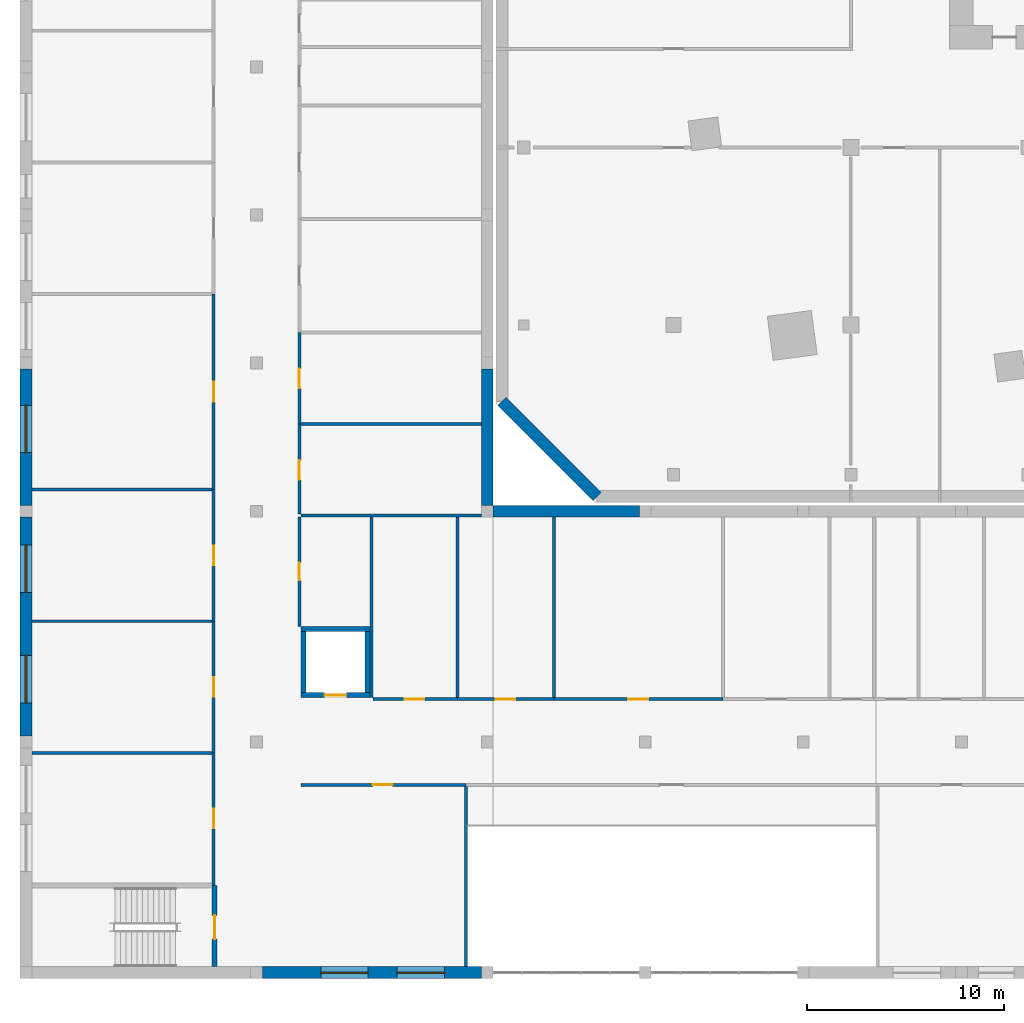
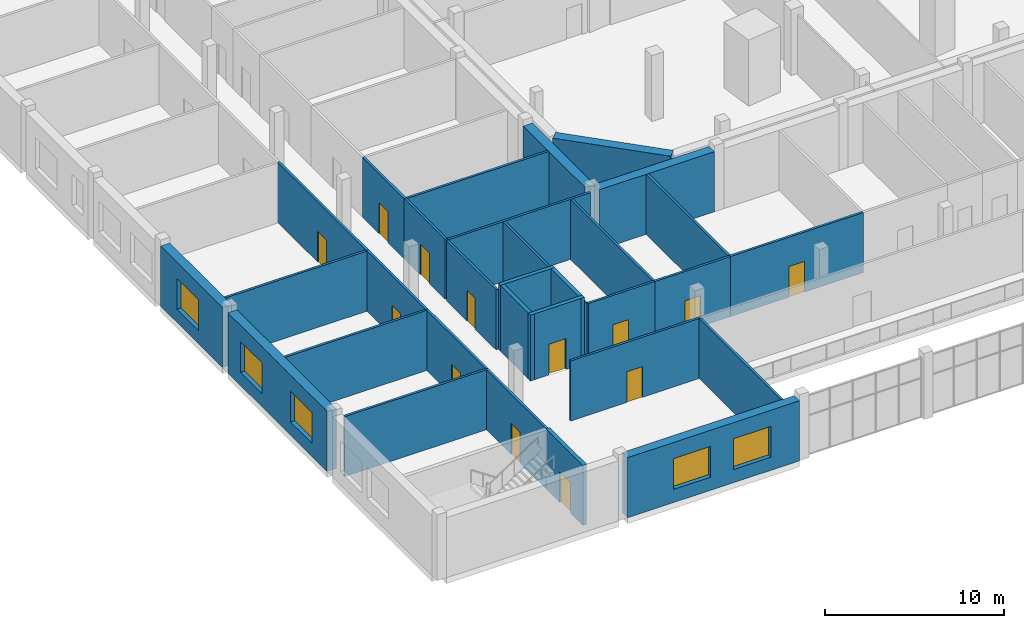
# One storey, part 9 of 27: 31 walls, 13 doors, 5 windows, 18 openings.
"""IFC4 building model written with IfcOpenShell, lengths in metres."""

from ifc_helpers import new_model, si_unit, direction, frame, frame_2d, origin, place, context, subcontext, project, spatial, rectangle, extrude, material, layer, layer_set, type_object, element, fill, save


model = new_model("IFC4")

# Units and contexts
model_context = context("Model", 3, precision=1e-05, world=origin(), true_north=direction((0.0, 1.0)))
body_context = subcontext(model_context, "Body", "Model", "MODEL_VIEW")
ifc_project = project(units=[si_unit("LENGTHUNIT", "METRE"), si_unit("AREAUNIT", "SQUARE_METRE"), si_unit("VOLUMEUNIT", "CUBIC_METRE"), si_unit("PLANEANGLEUNIT", "RADIAN"), si_unit("MASSUNIT", "GRAM", prefix="KILO")], contexts=[model_context])

# Site, building, storey
site_placement = place(None, origin())
site = spatial("IfcSite", under=ifc_project, at=site_placement, CompositionType="ELEMENT")
building_placement = place(site_placement, origin())
building = spatial("IfcBuilding", under=site, at=building_placement, Name="Dilmun Exchange Tower", CompositionType="ELEMENT")
storey_placement = place(building_placement, frame((0.0, 0.0, 4.5)))
storey = spatial("IfcBuildingStorey", under=building, at=storey_placement, Name="L01", CompositionType="ELEMENT", Elevation=4.5)

# Wall
ifc_material_1 = material(Name="Precast concrete C50/60", Category="concrete")
ifc_layer_1 = layer(ifc_material_1, 0.60009765625)
ifc_layer_set_1 = layer_set([ifc_layer_1], Name="Precast concrete C50/60")
wall_type_1 = type_object("IfcWallType", Name="Precast stone-clad wall 600", PredefinedType="STANDARD", material=ifc_layer_set_1)
wall_1_placement = place(storey_placement, frame((-35.699951171875, -30.875732421875, 0.0), z_axis=(0.0, 0.0, 1.0), x_axis=(0.707106781187, -0.707106781187, 0.0)))
element("IfcWall", 1, at=wall_1_placement, inside=storey, type_object=wall_type_1, Name="Facade wall L01-07-0", PredefinedType="STANDARD", context=body_context, shape_type="SweptSolid", body=[
    extrude(rectangle(XDim=6.822509765625, YDim=0.60009765625, at=frame_2d((3.4111328125, 0.0))), origin(), (0.0, 0.0, 1.0), 4.10009765625),
])

# Wall, openings, windows
ifc_material_2 = material(Name="Precast concrete C40/50", Category="concrete")
ifc_layer_2 = layer(ifc_material_2, 0.60009765625)
ifc_layer_set_2 = layer_set([ifc_layer_2], Name="Precast concrete C40/50")
wall_type_2 = type_object("IfcWallType", Name="School external wall 600 precast C40/50", PredefinedType="STANDARD", material=ifc_layer_set_2)
wall_2_placement = place(storey_placement, frame((-59.85009765625, -47.85009765625, 0.0), z_axis=(0.0, 0.0, 1.0), x_axis=(0.0, 1.0, 0.0)))
wall_2 = element("IfcWall", 2, at=wall_2_placement, inside=storey, type_object=wall_type_2, Name="School external wall", PredefinedType="STANDARD", context=body_context, shape_type="SweptSolid", body=[
    extrude(rectangle(XDim=11.10009765625, YDim=0.60009765625, at=frame_2d((5.550048828125, 0.0))), origin(), (0.0, 0.0, 1.0), 4.10009765625),
])
opening_1_placement = place(wall_2_placement, frame((1.68798828125, 0.0, 0.89990234375)))
opening_1 = element("IfcOpeningElement", 3, at=opening_1_placement, cuts=wall_2, Name="Opening SCH-W24", PredefinedType="OPENING", context=body_context, shape_type="SweptSolid", body=[
    extrude(rectangle(XDim=2.39990234375, YDim=2.10009765625, at=frame_2d((1.199951171875, 1.050048828125))), frame((0.0, 0.31005859375, 0.0), z_axis=(0.0, -1.0, 0.0), x_axis=(1.0, 0.0, 0.0)), (0.0, 0.0, 1.0), 0.6201171875),
])
opening_2_placement = place(wall_2_placement, frame((7.283203125, 0.0, 0.89990234375)))
opening_2 = element("IfcOpeningElement", 4, at=opening_2_placement, cuts=wall_2, Name="Opening SCH-W24", PredefinedType="OPENING", context=body_context, shape_type="SweptSolid", body=[
    extrude(rectangle(XDim=2.39990234375, YDim=2.10009765625, at=frame_2d((1.199951171875, 1.050048828125))), frame((0.0, 0.31005859375, 0.0), z_axis=(0.0, -1.0, 0.0), x_axis=(1.0, 0.0, 0.0)), (0.0, 0.0, 1.0), 0.6201171875),
])
ifc_material_3 = material(Name="Clear low-emissivity glass in aluminium frame", Category="aluminium")
window_type = type_object("IfcWindowType", Name="School window 2400 x 2100", PartitioningType="DOUBLE_PANEL_VERTICAL", PredefinedType="WINDOW", material=ifc_material_3)
window_1_placement = place(opening_1_placement, origin())
window_1 = element("IfcWindow", 5, at=window_1_placement, inside=storey, type_object=window_type, Name="School window", OverallHeight=2.10009765625, OverallWidth=2.39990234375, PartitioningType="SINGLE_PANEL", PredefinedType="WINDOW", context=body_context, shape_type="SweptSolid", body=[
    extrude(rectangle(XDim=2.39990234375, YDim=2.10009765625, at=frame_2d((1.199951171875, 1.050048828125))), frame((0.0, 0.030029296875, 0.0), z_axis=(0.0, -1.0, 0.0), x_axis=(1.0, 0.0, 0.0)), (0.0, 0.0, 1.0), 0.06005859375),
])
fill(opening_1, window_1)
window_2_placement = place(opening_2_placement, origin())
window_2 = element("IfcWindow", 6, at=window_2_placement, inside=storey, type_object=window_type, Name="School window", OverallHeight=2.10009765625, OverallWidth=2.39990234375, PartitioningType="SINGLE_PANEL", PredefinedType="WINDOW", context=body_context, shape_type="SweptSolid", body=[
    extrude(rectangle(XDim=2.39990234375, YDim=2.10009765625, at=frame_2d((1.199951171875, 1.050048828125))), frame((0.0, 0.030029296875, 0.0), z_axis=(0.0, -1.0, 0.0), x_axis=(1.0, 0.0, 0.0)), (0.0, 0.0, 1.0), 0.06005859375),
])
fill(opening_2, window_2)

# Wall, opening, window
wall_3_placement = place(storey_placement, frame((-59.85009765625, -36.14990234375, 0.0), z_axis=(0.0, 0.0, 1.0), x_axis=(0.0, 1.0, 0.0)))
wall_3 = element("IfcWall", 7, at=wall_3_placement, inside=storey, type_object=wall_type_2, Name="School external wall", PredefinedType="STANDARD", context=body_context, shape_type="SweptSolid", body=[
    extrude(rectangle(XDim=6.914306640625, YDim=0.60009765625, at=frame_2d((3.45703125, 0.0))), origin(), (0.0, 0.0, 1.0), 4.10009765625),
])
opening_3_placement = place(wall_3_placement, frame((2.6767578125, 0.0, 0.89990234375)))
opening_3 = element("IfcOpeningElement", 8, at=opening_3_placement, cuts=wall_3, Name="Opening SCH-W24", PredefinedType="OPENING", context=body_context, shape_type="SweptSolid", body=[
    extrude(rectangle(XDim=2.39990234375, YDim=2.10009765625, at=frame_2d((1.199951171875, 1.050048828125))), frame((0.0, 0.31005859375, 0.0), z_axis=(0.0, -1.0, 0.0), x_axis=(1.0, 0.0, 0.0)), (0.0, 0.0, 1.0), 0.6201171875),
])
window_3_placement = place(opening_3_placement, origin())
window_3 = element("IfcWindow", 9, at=window_3_placement, inside=storey, type_object=window_type, Name="School window", OverallHeight=2.10009765625, OverallWidth=2.39990234375, PartitioningType="SINGLE_PANEL", PredefinedType="WINDOW", context=body_context, shape_type="SweptSolid", body=[
    extrude(rectangle(XDim=2.39990234375, YDim=2.10009765625, at=frame_2d((1.199951171875, 1.050048828125))), frame((0.0, 0.030029296875, 0.0), z_axis=(0.0, -1.0, 0.0), x_axis=(1.0, 0.0, 0.0)), (0.0, 0.0, 1.0), 0.06005859375),
])
fill(opening_3, window_3)

# Walls
wall_4_placement = place(storey_placement, frame((-36.449951171875, -29.235595703125, 0.0), z_axis=(0.0, 0.0, 1.0), x_axis=(0.0, -1.0, 0.0)))
element("IfcWall", 10, at=wall_4_placement, inside=storey, type_object=wall_type_2, Name="School external wall", PredefinedType="STANDARD", context=body_context, shape_type="SweptSolid", body=[
    extrude(rectangle(XDim=6.914306640625, YDim=0.60009765625, at=frame_2d((3.45703125, 0.0))), origin(), (0.0, 0.0, 1.0), 4.10009765625),
])
wall_5_placement = place(storey_placement, frame((-36.14990234375, -36.449951171875, 0.0), z_axis=(0.0, 0.0, 1.0), x_axis=(1.0, 0.0, 0.0)))
element("IfcWall", 11, at=wall_5_placement, inside=storey, type_object=wall_type_2, Name="School external wall", PredefinedType="STANDARD", context=body_context, shape_type="SweptSolid", body=[
    extrude(rectangle(XDim=7.41650390625, YDim=0.60009765625, at=frame_2d((3.708251953125, 0.0))), origin(), (0.0, 0.0, 1.0), 4.10009765625),
])

# Wall, openings, windows
wall_6_placement = place(storey_placement, frame((-36.75, -59.85009765625, 0.0), z_axis=(0.0, 0.0, 1.0), x_axis=(-1.0, 0.0, 0.0)))
wall_6 = element("IfcWall", 12, at=wall_6_placement, inside=storey, type_object=wall_type_2, Name="School external wall", PredefinedType="STANDARD", context=body_context, shape_type="SweptSolid", body=[
    extrude(rectangle(XDim=11.10009765625, YDim=0.60009765625, at=frame_2d((5.550048828125, 0.0))), origin(), (0.0, 0.0, 1.0), 4.10009765625),
])
opening_4_placement = place(wall_6_placement, frame((1.866943359375, 0.0, 0.89990234375)))
opening_4 = element("IfcOpeningElement", 13, at=opening_4_placement, cuts=wall_6, Name="Opening SCH-W24", PredefinedType="OPENING", context=body_context, shape_type="SweptSolid", body=[
    extrude(rectangle(XDim=2.39990234375, YDim=2.10009765625, at=frame_2d((1.199951171875, 1.050048828125))), frame((0.0, 0.31005859375, 0.0), z_axis=(0.0, -1.0, 0.0), x_axis=(1.0, 0.0, 0.0)), (0.0, 0.0, 1.0), 0.6201171875),
])
opening_5_placement = place(wall_6_placement, frame((5.7421875, 0.0, 0.89990234375)))
opening_5 = element("IfcOpeningElement", 14, at=opening_5_placement, cuts=wall_6, Name="Opening SCH-W24", PredefinedType="OPENING", context=body_context, shape_type="SweptSolid", body=[
    extrude(rectangle(XDim=2.39990234375, YDim=2.10009765625, at=frame_2d((1.199951171875, 1.050048828125))), frame((0.0, 0.31005859375, 0.0), z_axis=(0.0, -1.0, 0.0), x_axis=(1.0, 0.0, 0.0)), (0.0, 0.0, 1.0), 0.6201171875),
])
window_4_placement = place(opening_4_placement, origin())
window_4 = element("IfcWindow", 15, at=window_4_placement, inside=storey, type_object=window_type, Name="School window", OverallHeight=2.10009765625, OverallWidth=2.39990234375, PartitioningType="SINGLE_PANEL", PredefinedType="WINDOW", context=body_context, shape_type="SweptSolid", body=[
    extrude(rectangle(XDim=2.39990234375, YDim=2.10009765625, at=frame_2d((1.199951171875, 1.050048828125))), frame((0.0, 0.030029296875, 0.0), z_axis=(0.0, -1.0, 0.0), x_axis=(1.0, 0.0, 0.0)), (0.0, 0.0, 1.0), 0.06005859375),
])
fill(opening_4, window_4)
window_5_placement = place(opening_5_placement, origin())
window_5 = element("IfcWindow", 16, at=window_5_placement, inside=storey, type_object=window_type, Name="School window", OverallHeight=2.10009765625, OverallWidth=2.39990234375, PartitioningType="SINGLE_PANEL", PredefinedType="WINDOW", context=body_context, shape_type="SweptSolid", body=[
    extrude(rectangle(XDim=2.39990234375, YDim=2.10009765625, at=frame_2d((1.199951171875, 1.050048828125))), frame((0.0, 0.030029296875, 0.0), z_axis=(0.0, -1.0, 0.0), x_axis=(1.0, 0.0, 0.0)), (0.0, 0.0, 1.0), 0.06005859375),
])
fill(opening_5, window_5)

# Walls
ifc_material_4 = material(Name="Gypsum board on steel studs", Category="steel")
ifc_layer_3 = layer(ifc_material_4, 0.14990234375)
ifc_layer_set_3 = layer_set([ifc_layer_3], Name="Gypsum board on steel studs")
wall_type_3 = type_object("IfcWallType", Name="School partition 150 gypsum board", PredefinedType="PARTITIONING", material=ifc_layer_set_3)
for number, where, z_axis, x_axis, name in (
    (17, (-59.550048828125, -48.701904296875, 0.0), (0.0, 0.0, 1.0), (1.0, 0.0, 0.0), "School partition"),
    (18, (-59.550048828125, -42.02880859375, 0.0), (0.0, 0.0, 1.0), (1.0, 0.0, 0.0), "School partition"),
    (19, (-59.550048828125, -35.355712890625, 0.0), (0.0, 0.0, 1.0), (1.0, 0.0, 0.0), "School partition"),
):
    element("IfcWall", number, at=place(storey_placement, frame(where, z_axis=z_axis, x_axis=x_axis)), inside=storey, type_object=wall_type_3, Name=name, PredefinedType="PARTITIONING", context=body_context, shape_type="SweptSolid", body=[
        extrude(rectangle(XDim=9.150146484375, YDim=0.14990234375, at=frame_2d((4.5751953125, 0.0))), origin(), (0.0, 0.0, 1.0), 4.10009765625),
    ])

# Wall, opening, door
wall_7_placement = place(storey_placement, frame((-50.324951171875, -55.425048828125, 0.0), z_axis=(0.0, 0.0, 1.0), x_axis=(0.0, 1.0, 0.0)))
wall_7 = element("IfcWall", 20, at=wall_7_placement, inside=storey, type_object=wall_type_3, Name="School corridor wall", PredefinedType="PARTITIONING", context=body_context, shape_type="SweptSolid", body=[
    extrude(rectangle(XDim=6.72314453125, YDim=0.14990234375, at=frame_2d((3.361572265625, 0.0))), origin(), (0.0, 0.0, 1.0), 4.10009765625),
])
opening_6_placement = place(wall_7_placement, frame((2.886474609375, 0.0, 0.0)))
opening_6 = element("IfcOpeningElement", 21, at=opening_6_placement, cuts=wall_7, Name="Opening SCH-D1", PredefinedType="OPENING", context=body_context, shape_type="SweptSolid", body=[
    extrude(rectangle(XDim=1.0, YDim=2.10009765625, at=frame_2d((0.5, 1.050048828125))), frame((0.0, 0.0849609375, 0.0), z_axis=(0.0, -1.0, 0.0), x_axis=(1.0, 0.0, 0.0)), (0.0, 0.0, 1.0), 0.169921875),
])
ifc_material_5 = material(Name="Timber door leaf in steel frame", Category="steel")
door_type_1 = type_object("IfcDoorType", Name="School door FD30S 1000 x 2100", OperationType="NOTDEFINED", PredefinedType="DOOR", material=ifc_material_5)
door_1_placement = place(opening_6_placement, origin())
door_1 = element("IfcDoor", 22, at=door_1_placement, inside=storey, type_object=door_type_1, Name="Classroom door", OperationType="SINGLE_SWING_RIGHT", OverallHeight=2.10009765625, OverallWidth=1.0, PredefinedType="DOOR", context=body_context, shape_type="SweptSolid", body=[
    extrude(rectangle(XDim=1.0, YDim=2.10009765625, at=frame_2d((0.5, 1.050048828125))), frame((0.0, 0.02490234375, 0.0), z_axis=(0.0, -1.0, 0.0), x_axis=(1.0, 0.0, 0.0)), (0.0, 0.0, 1.0), 0.050048828125),
])
fill(opening_6, door_1)

wall_8_placement = place(storey_placement, frame((-50.324951171875, -48.701904296875, 0.0), z_axis=(0.0, 0.0, 1.0), x_axis=(0.0, 1.0, 0.0)))
wall_8 = element("IfcWall", 23, at=wall_8_placement, inside=storey, type_object=wall_type_3, Name="School corridor wall", PredefinedType="PARTITIONING", context=body_context, shape_type="SweptSolid", body=[
    extrude(rectangle(XDim=6.673095703125, YDim=0.14990234375, at=frame_2d((3.33642578125, 0.0))), origin(), (0.0, 0.0, 1.0), 4.10009765625),
])
opening_7_placement = place(wall_8_placement, frame((2.836669921875, 0.0, 0.0)))
opening_7 = element("IfcOpeningElement", 24, at=opening_7_placement, cuts=wall_8, Name="Opening SCH-D1", PredefinedType="OPENING", context=body_context, shape_type="SweptSolid", body=[
    extrude(rectangle(XDim=1.0, YDim=2.10009765625, at=frame_2d((0.5, 1.050048828125))), frame((0.0, 0.0849609375, 0.0), z_axis=(0.0, -1.0, 0.0), x_axis=(1.0, 0.0, 0.0)), (0.0, 0.0, 1.0), 0.169921875),
])
door_2_placement = place(opening_7_placement, origin())
door_2 = element("IfcDoor", 25, at=door_2_placement, inside=storey, type_object=door_type_1, Name="Classroom door", OperationType="SINGLE_SWING_LEFT", OverallHeight=2.10009765625, OverallWidth=1.0, PredefinedType="DOOR", context=body_context, shape_type="SweptSolid", body=[
    extrude(rectangle(XDim=1.0, YDim=2.10009765625, at=frame_2d((0.5, 1.050048828125))), frame((0.0, 0.02490234375, 0.0), z_axis=(0.0, -1.0, 0.0), x_axis=(1.0, 0.0, 0.0)), (0.0, 0.0, 1.0), 0.050048828125),
])
fill(opening_7, door_2)

wall_9_placement = place(storey_placement, frame((-50.324951171875, -42.02880859375, 0.0), z_axis=(0.0, 0.0, 1.0), x_axis=(0.0, 1.0, 0.0)))
wall_9 = element("IfcWall", 26, at=wall_9_placement, inside=storey, type_object=wall_type_3, Name="School corridor wall", PredefinedType="PARTITIONING", context=body_context, shape_type="SweptSolid", body=[
    extrude(rectangle(XDim=6.673095703125, YDim=0.14990234375, at=frame_2d((3.33642578125, 0.0))), origin(), (0.0, 0.0, 1.0), 4.10009765625),
])
opening_8_placement = place(wall_9_placement, frame((2.83642578125, 0.0, 0.0)))
opening_8 = element("IfcOpeningElement", 27, at=opening_8_placement, cuts=wall_9, Name="Opening SCH-D1", PredefinedType="OPENING", context=body_context, shape_type="SweptSolid", body=[
    extrude(rectangle(XDim=1.0, YDim=2.10009765625, at=frame_2d((0.5, 1.050048828125))), frame((0.0, 0.0849609375, 0.0), z_axis=(0.0, -1.0, 0.0), x_axis=(1.0, 0.0, 0.0)), (0.0, 0.0, 1.0), 0.169921875),
])
door_3_placement = place(opening_8_placement, origin())
door_3 = element("IfcDoor", 28, at=door_3_placement, inside=storey, type_object=door_type_1, Name="Classroom door", OperationType="SINGLE_SWING_RIGHT", OverallHeight=2.10009765625, OverallWidth=1.0, PredefinedType="DOOR", context=body_context, shape_type="SweptSolid", body=[
    extrude(rectangle(XDim=1.0, YDim=2.10009765625, at=frame_2d((0.5, 1.050048828125))), frame((0.0, 0.02490234375, 0.0), z_axis=(0.0, -1.0, 0.0), x_axis=(1.0, 0.0, 0.0)), (0.0, 0.0, 1.0), 0.050048828125),
])
fill(opening_8, door_3)

wall_10_placement = place(storey_placement, frame((-50.324951171875, -35.355712890625, 0.0), z_axis=(0.0, 0.0, 1.0), x_axis=(0.0, 1.0, 0.0)))
wall_10 = element("IfcWall", 29, at=wall_10_placement, inside=storey, type_object=wall_type_3, Name="School corridor wall", PredefinedType="PARTITIONING", context=body_context, shape_type="SweptSolid", body=[
    extrude(rectangle(XDim=9.9345703125, YDim=0.14990234375, at=frame_2d((4.96728515625, 0.0))), origin(), (0.0, 0.0, 1.0), 4.10009765625),
])
opening_9_placement = place(wall_10_placement, frame((4.46728515625, 0.0, 0.0)))
opening_9 = element("IfcOpeningElement", 30, at=opening_9_placement, cuts=wall_10, Name="Opening SCH-D1", PredefinedType="OPENING", context=body_context, shape_type="SweptSolid", body=[
    extrude(rectangle(XDim=1.0, YDim=2.10009765625, at=frame_2d((0.5, 1.050048828125))), frame((0.0, 0.0849609375, 0.0), z_axis=(0.0, -1.0, 0.0), x_axis=(1.0, 0.0, 0.0)), (0.0, 0.0, 1.0), 0.169921875),
])
door_4_placement = place(opening_9_placement, origin())
door_4 = element("IfcDoor", 31, at=door_4_placement, inside=storey, type_object=door_type_1, Name="Science laboratory door", OperationType="SINGLE_SWING_LEFT", OverallHeight=2.10009765625, OverallWidth=1.0, PredefinedType="DOOR", context=body_context, shape_type="SweptSolid", body=[
    extrude(rectangle(XDim=1.0, YDim=2.10009765625, at=frame_2d((0.5, 1.050048828125))), frame((0.0, 0.02490234375, 0.0), z_axis=(0.0, -1.0, 0.0), x_axis=(1.0, 0.0, 0.0)), (0.0, 0.0, 1.0), 0.050048828125),
])
fill(opening_9, door_4)

# Wall
wall_11_placement = place(storey_placement, frame((-45.89990234375, -32.0322265625, 0.0), z_axis=(0.0, 0.0, 1.0), x_axis=(1.0, 0.0, 0.0)))
element("IfcWall", 32, at=wall_11_placement, inside=storey, type_object=wall_type_3, Name="School partition", PredefinedType="PARTITIONING", context=body_context, shape_type="SweptSolid", body=[
    extrude(rectangle(XDim=9.14990234375, YDim=0.14990234375, at=frame_2d((4.574951171875, 0.0))), origin(), (0.0, 0.0, 1.0), 4.10009765625),
])

# Wall, opening, door
wall_12_placement = place(storey_placement, frame((-45.97509765625, -36.60009765625, 0.0), z_axis=(0.0, 0.0, 1.0), x_axis=(0.0, 1.0, 0.0)))
wall_12 = element("IfcWall", 33, at=wall_12_placement, inside=storey, type_object=wall_type_3, Name="School corridor wall", PredefinedType="PARTITIONING", context=body_context, shape_type="SweptSolid", body=[
    extrude(rectangle(XDim=4.56787109375, YDim=0.14990234375, at=frame_2d((2.283935546875, 0.0))), origin(), (0.0, 0.0, 1.0), 4.10009765625),
])
opening_10_placement = place(wall_12_placement, frame((1.746337890625, 0.0, 0.0)))
opening_10 = element("IfcOpeningElement", 34, at=opening_10_placement, cuts=wall_12, Name="Opening SCH-D1", PredefinedType="OPENING", context=body_context, shape_type="SweptSolid", body=[
    extrude(rectangle(XDim=1.0, YDim=2.10009765625, at=frame_2d((0.5, 1.050048828125))), frame((0.0, 0.0849609375, 0.0), z_axis=(0.0, -1.0, 0.0), x_axis=(1.0, 0.0, 0.0)), (0.0, 0.0, 1.0), 0.169921875),
])
door_5_placement = place(opening_10_placement, origin())
door_5 = element("IfcDoor", 35, at=door_5_placement, inside=storey, type_object=door_type_1, Name="Music practice room door", OperationType="SINGLE_SWING_LEFT", OverallHeight=2.10009765625, OverallWidth=1.0, PredefinedType="DOOR", context=body_context, shape_type="SweptSolid", body=[
    extrude(rectangle(XDim=1.0, YDim=2.10009765625, at=frame_2d((0.5, 1.050048828125))), frame((0.0, 0.02490234375, 0.0), z_axis=(0.0, -1.0, 0.0), x_axis=(1.0, 0.0, 0.0)), (0.0, 0.0, 1.0), 0.050048828125),
])
fill(opening_10, door_5)

wall_13_placement = place(storey_placement, frame((-45.97509765625, -32.0322265625, 0.0), z_axis=(0.0, 0.0, 1.0), x_axis=(0.0, 1.0, 0.0)))
wall_13 = element("IfcWall", 36, at=wall_13_placement, inside=storey, type_object=wall_type_3, Name="School corridor wall", PredefinedType="PARTITIONING", context=body_context, shape_type="SweptSolid", body=[
    extrude(rectangle(XDim=4.642822265625, YDim=0.14990234375, at=frame_2d((2.3212890625, 0.0))), origin(), (0.0, 0.0, 1.0), 4.10009765625),
])
opening_11_placement = place(wall_13_placement, frame((1.8212890625, 0.0, 0.0)))
opening_11 = element("IfcOpeningElement", 37, at=opening_11_placement, cuts=wall_13, Name="Opening SCH-D1", PredefinedType="OPENING", context=body_context, shape_type="SweptSolid", body=[
    extrude(rectangle(XDim=1.0, YDim=2.10009765625, at=frame_2d((0.5, 1.050048828125))), frame((0.0, 0.0849609375, 0.0), z_axis=(0.0, -1.0, 0.0), x_axis=(1.0, 0.0, 0.0)), (0.0, 0.0, 1.0), 0.169921875),
])
door_6_placement = place(opening_11_placement, origin())
door_6 = element("IfcDoor", 38, at=door_6_placement, inside=storey, type_object=door_type_1, Name="Music practice room door", OperationType="SINGLE_SWING_RIGHT", OverallHeight=2.10009765625, OverallWidth=1.0, PredefinedType="DOOR", context=body_context, shape_type="SweptSolid", body=[
    extrude(rectangle(XDim=1.0, YDim=2.10009765625, at=frame_2d((0.5, 1.050048828125))), frame((0.0, 0.02490234375, 0.0), z_axis=(0.0, -1.0, 0.0), x_axis=(1.0, 0.0, 0.0)), (0.0, 0.0, 1.0), 0.050048828125),
])
fill(opening_11, door_6)

# Wall
wall_14_placement = place(storey_placement, frame((-37.534423828125, -59.550048828125, 0.0), z_axis=(0.0, 0.0, 1.0), x_axis=(0.0, 1.0, 0.0)))
element("IfcWall", 39, at=wall_14_placement, inside=storey, type_object=wall_type_3, Name="School partition", PredefinedType="PARTITIONING", context=body_context, shape_type="SweptSolid", body=[
    extrude(rectangle(XDim=9.150146484375, YDim=0.14990234375, at=frame_2d((4.5751953125, 0.0))), origin(), (0.0, 0.0, 1.0), 4.10009765625),
])

# Wall, opening, door
wall_15_placement = place(storey_placement, frame((-45.89990234375, -50.324951171875, 0.0), z_axis=(0.0, 0.0, 1.0), x_axis=(1.0, 0.0, 0.0)))
wall_15 = element("IfcWall", 40, at=wall_15_placement, inside=storey, type_object=wall_type_3, Name="School corridor wall", PredefinedType="PARTITIONING", context=body_context, shape_type="SweptSolid", body=[
    extrude(rectangle(XDim=8.365478515625, YDim=0.14990234375, at=frame_2d((4.1826171875, 0.0))), origin(), (0.0, 0.0, 1.0), 4.10009765625),
])
opening_12_placement = place(wall_15_placement, frame((3.645263671875, 0.0, 0.0)))
opening_12 = element("IfcOpeningElement", 41, at=opening_12_placement, cuts=wall_15, Name="Opening SCH-D1", PredefinedType="OPENING", context=body_context, shape_type="SweptSolid", body=[
    extrude(rectangle(XDim=1.0, YDim=2.10009765625, at=frame_2d((0.5, 1.050048828125))), frame((0.0, 0.0849609375, 0.0), z_axis=(0.0, -1.0, 0.0), x_axis=(1.0, 0.0, 0.0)), (0.0, 0.0, 1.0), 0.169921875),
])
door_7_placement = place(opening_12_placement, origin())
door_7 = element("IfcDoor", 42, at=door_7_placement, inside=storey, type_object=door_type_1, Name="Art room door", OperationType="SINGLE_SWING_RIGHT", OverallHeight=2.10009765625, OverallWidth=1.0, PredefinedType="DOOR", context=body_context, shape_type="SweptSolid", body=[
    extrude(rectangle(XDim=1.0, YDim=2.10009765625, at=frame_2d((0.5, 1.050048828125))), frame((0.0, 0.02490234375, 0.0), z_axis=(0.0, -1.0, 0.0), x_axis=(1.0, 0.0, 0.0)), (0.0, 0.0, 1.0), 0.050048828125),
])
fill(opening_12, door_7)

# Walls
for number, where, z_axis, x_axis, name in (
    (43, (-37.96240234375, -45.89990234375, 0.0), (0.0, 0.0, 1.0), (0.0, 1.0, 0.0), "School partition"),
    (44, (-33.072998046875, -45.89990234375, 0.0), (0.0, 0.0, 1.0), (0.0, 1.0, 0.0), "School partition"),
):
    element("IfcWall", number, at=place(storey_placement, frame(where, z_axis=z_axis, x_axis=x_axis)), inside=storey, type_object=wall_type_3, Name=name, PredefinedType="PARTITIONING", context=body_context, shape_type="SweptSolid", body=[
        extrude(rectangle(XDim=9.14990234375, YDim=0.14990234375, at=frame_2d((4.574951171875, 0.0))), origin(), (0.0, 0.0, 1.0), 4.10009765625),
    ])

# Wall, opening, door
wall_16_placement = place(storey_placement, frame((-42.25, -45.97509765625, 0.0), z_axis=(0.0, 0.0, 1.0), x_axis=(1.0, 0.0, 0.0)))
wall_16 = element("IfcWall", 45, at=wall_16_placement, inside=storey, type_object=wall_type_3, Name="School corridor wall", PredefinedType="PARTITIONING", context=body_context, shape_type="SweptSolid", body=[
    extrude(rectangle(XDim=4.28759765625, YDim=0.14990234375, at=frame_2d((2.143798828125, 0.0))), origin(), (0.0, 0.0, 1.0), 4.10009765625),
])
opening_13_placement = place(wall_16_placement, frame((1.606201171875, 0.0, 0.0)))
opening_13 = element("IfcOpeningElement", 46, at=opening_13_placement, cuts=wall_16, Name="Opening SCH-D1", PredefinedType="OPENING", context=body_context, shape_type="SweptSolid", body=[
    extrude(rectangle(XDim=1.0, YDim=2.10009765625, at=frame_2d((0.5, 1.050048828125))), frame((0.0, 0.0849609375, 0.0), z_axis=(0.0, -1.0, 0.0), x_axis=(1.0, 0.0, 0.0)), (0.0, 0.0, 1.0), 0.169921875),
])
door_8_placement = place(opening_13_placement, origin())
door_8 = element("IfcDoor", 47, at=door_8_placement, inside=storey, type_object=door_type_1, Name="Deputy principal's office door", OperationType="SINGLE_SWING_RIGHT", OverallHeight=2.10009765625, OverallWidth=1.0, PredefinedType="DOOR", context=body_context, shape_type="SweptSolid", body=[
    extrude(rectangle(XDim=1.0, YDim=2.10009765625, at=frame_2d((0.5, 1.050048828125))), frame((0.0, 0.02490234375, 0.0), z_axis=(0.0, -1.0, 0.0), x_axis=(1.0, 0.0, 0.0)), (0.0, 0.0, 1.0), 0.050048828125),
])
fill(opening_13, door_8)

wall_17_placement = place(storey_placement, frame((-37.96240234375, -45.97509765625, 0.0), z_axis=(0.0, 0.0, 1.0), x_axis=(1.0, 0.0, 0.0)))
wall_17 = element("IfcWall", 48, at=wall_17_placement, inside=storey, type_object=wall_type_3, Name="School corridor wall", PredefinedType="PARTITIONING", context=body_context, shape_type="SweptSolid", body=[
    extrude(rectangle(XDim=4.889404296875, YDim=0.14990234375, at=frame_2d((2.44482421875, 0.0))), origin(), (0.0, 0.0, 1.0), 4.10009765625),
])
opening_14_placement = place(wall_17_placement, frame((1.944580078125, 0.0, 0.0)))
opening_14 = element("IfcOpeningElement", 49, at=opening_14_placement, cuts=wall_17, Name="Opening SCH-D1", PredefinedType="OPENING", context=body_context, shape_type="SweptSolid", body=[
    extrude(rectangle(XDim=1.0, YDim=2.10009765625, at=frame_2d((0.5, 1.050048828125))), frame((0.0, 0.0849609375, 0.0), z_axis=(0.0, -1.0, 0.0), x_axis=(1.0, 0.0, 0.0)), (0.0, 0.0, 1.0), 0.169921875),
])
door_9_placement = place(opening_14_placement, origin())
door_9 = element("IfcDoor", 50, at=door_9_placement, inside=storey, type_object=door_type_1, Name="Meeting room door", OperationType="SINGLE_SWING_LEFT", OverallHeight=2.10009765625, OverallWidth=1.0, PredefinedType="DOOR", context=body_context, shape_type="SweptSolid", body=[
    extrude(rectangle(XDim=1.0, YDim=2.10009765625, at=frame_2d((0.5, 1.050048828125))), frame((0.0, 0.02490234375, 0.0), z_axis=(0.0, -1.0, 0.0), x_axis=(1.0, 0.0, 0.0)), (0.0, 0.0, 1.0), 0.050048828125),
])
fill(opening_14, door_9)

wall_18_placement = place(storey_placement, frame((-33.072998046875, -45.97509765625, 0.0), z_axis=(0.0, 0.0, 1.0), x_axis=(1.0, 0.0, 0.0)))
wall_18 = element("IfcWall", 51, at=wall_18_placement, inside=storey, type_object=wall_type_3, Name="School corridor wall", PredefinedType="PARTITIONING", context=body_context, shape_type="SweptSolid", body=[
    extrude(rectangle(XDim=8.5751953125, YDim=0.14990234375, at=frame_2d((4.28759765625, 0.0))), origin(), (0.0, 0.0, 1.0), 4.10009765625),
])
opening_15_placement = place(wall_18_placement, frame((3.78759765625, 0.0, 0.0)))
opening_15 = element("IfcOpeningElement", 52, at=opening_15_placement, cuts=wall_18, Name="Opening SCH-D1", PredefinedType="OPENING", context=body_context, shape_type="SweptSolid", body=[
    extrude(rectangle(XDim=1.0, YDim=2.10009765625, at=frame_2d((0.5, 1.050048828125))), frame((0.0, 0.0849609375, 0.0), z_axis=(0.0, -1.0, 0.0), x_axis=(1.0, 0.0, 0.0)), (0.0, 0.0, 1.0), 0.169921875),
])
door_10_placement = place(opening_15_placement, origin())
door_10 = element("IfcDoor", 53, at=door_10_placement, inside=storey, type_object=door_type_1, Name="Staff room door", OperationType="SINGLE_SWING_RIGHT", OverallHeight=2.10009765625, OverallWidth=1.0, PredefinedType="DOOR", context=body_context, shape_type="SweptSolid", body=[
    extrude(rectangle(XDim=1.0, YDim=2.10009765625, at=frame_2d((0.5, 1.050048828125))), frame((0.0, 0.02490234375, 0.0), z_axis=(0.0, -1.0, 0.0), x_axis=(1.0, 0.0, 0.0)), (0.0, 0.0, 1.0), 0.050048828125),
])
fill(opening_15, door_10)

# Walls
for number, where, z_axis, x_axis, name in (
    (54, (-45.89990234375, -36.675048828125, 0.0), (0.0, 0.0, 1.0), (1.0, 0.0, 0.0), "School partition"),
    (55, (-42.324951171875, -45.89990234375, 0.0), (0.0, 0.0, 1.0), (0.0, 1.0, 0.0), "School partition"),
):
    element("IfcWall", number, at=place(storey_placement, frame(where, z_axis=z_axis, x_axis=x_axis)), inside=storey, type_object=wall_type_3, Name=name, PredefinedType="PARTITIONING", context=body_context, shape_type="SweptSolid", body=[
        extrude(rectangle(XDim=9.14990234375, YDim=0.14990234375, at=frame_2d((4.574951171875, 0.0))), origin(), (0.0, 0.0, 1.0), 4.10009765625),
    ])

# Wall, opening, door
wall_19_placement = place(storey_placement, frame((-45.97509765625, -42.300048828125, 0.0), z_axis=(0.0, 0.0, 1.0), x_axis=(0.0, 1.0, 0.0)))
wall_19 = element("IfcWall", 56, at=wall_19_placement, inside=storey, type_object=wall_type_3, Name="School corridor wall", PredefinedType="PARTITIONING", context=body_context, shape_type="SweptSolid", body=[
    extrude(rectangle(XDim=5.550048828125, YDim=0.14990234375, at=frame_2d((2.77490234375, 0.0))), origin(), (0.0, 0.0, 1.0), 4.10009765625),
])
opening_16_placement = place(wall_19_placement, frame((2.35009765625, 0.0, 0.0)))
opening_16 = element("IfcOpeningElement", 57, at=opening_16_placement, cuts=wall_19, Name="Opening SCH-D2", PredefinedType="OPENING", context=body_context, shape_type="SweptSolid", body=[
    extrude(rectangle(XDim=0.89990234375, YDim=2.10009765625, at=frame_2d((0.449951171875, 1.050048828125))), frame((0.0, 0.0849609375, 0.0), z_axis=(0.0, -1.0, 0.0), x_axis=(1.0, 0.0, 0.0)), (0.0, 0.0, 1.0), 0.169921875),
])
door_type_2 = type_object("IfcDoorType", Name="School door FD30S 900 x 2100", OperationType="NOTDEFINED", PredefinedType="DOOR", material=ifc_material_5)
door_11_placement = place(opening_16_placement, origin())
door_11 = element("IfcDoor", 58, at=door_11_placement, inside=storey, type_object=door_type_2, Name="Service cell door", OperationType="SINGLE_SWING_RIGHT", OverallHeight=2.10009765625, OverallWidth=0.89990234375, PredefinedType="DOOR", context=body_context, shape_type="SweptSolid", body=[
    extrude(rectangle(XDim=0.89990234375, YDim=2.10009765625, at=frame_2d((0.449951171875, 1.050048828125))), frame((0.0, 0.02490234375, 0.0), z_axis=(0.0, -1.0, 0.0), x_axis=(1.0, 0.0, 0.0)), (0.0, 0.0, 1.0), 0.050048828125),
])
fill(opening_16, door_11)

# Walls
ifc_material_6 = material(Name="Concrete C40/50", Category="concrete")
ifc_layer_4 = layer(ifc_material_6, 0.25)
ifc_layer_set_4 = layer_set([ifc_layer_4], Name="Concrete C40/50")
wall_type_4 = type_object("IfcWallType", Name="School stair and lift wall 250 C40/50", PredefinedType="SHEAR", material=ifc_layer_set_4)
for number, where, z_axis, x_axis, name in (
    (59, (-45.77490234375, -45.89990234375, 0.0), (0.0, 0.0, 1.0), (0.0, 1.0, 0.0), "School lift shaft wall"),
    (60, (-42.52490234375, -45.89990234375, 0.0), (0.0, 0.0, 1.0), (0.0, 1.0, 0.0), "School lift shaft wall"),
):
    element("IfcWall", number, at=place(storey_placement, frame(where, z_axis=z_axis, x_axis=x_axis)), inside=storey, type_object=wall_type_4, Name=name, PredefinedType="SHEAR", context=body_context, shape_type="SweptSolid", body=[
        extrude(rectangle(XDim=3.599853515625, YDim=0.25, at=frame_2d((1.7998046875, 0.0))), origin(), (0.0, 0.0, 1.0), 4.5),
    ])
wall_20_placement = place(storey_placement, frame((-45.89990234375, -42.425048828125, 0.0), z_axis=(0.0, 0.0, 1.0), x_axis=(1.0, 0.0, 0.0)))
element("IfcWall", 61, at=wall_20_placement, inside=storey, type_object=wall_type_4, Name="School lift shaft wall", PredefinedType="SHEAR", context=body_context, shape_type="SweptSolid", body=[
    extrude(rectangle(XDim=3.5, YDim=0.25, at=frame_2d((1.75, 0.0))), origin(), (0.0, 0.0, 1.0), 4.5),
])

# Wall, opening, door
wall_21_placement = place(storey_placement, frame((-45.89990234375, -45.77490234375, 0.0), z_axis=(0.0, 0.0, 1.0), x_axis=(1.0, 0.0, 0.0)))
wall_21 = element("IfcWall", 62, at=wall_21_placement, inside=storey, type_object=wall_type_4, Name="School lift shaft wall", PredefinedType="SHEAR", context=body_context, shape_type="SweptSolid", body=[
    extrude(rectangle(XDim=3.5, YDim=0.25, at=frame_2d((1.75, 0.0))), origin(), (0.0, 0.0, 1.0), 4.5),
])
opening_17_placement = place(wall_21_placement, frame((1.199951171875, 0.0, 0.0)))
opening_17 = element("IfcOpeningElement", 63, at=opening_17_placement, cuts=wall_21, Name="Opening SCH-LD", PredefinedType="OPENING", context=body_context, shape_type="SweptSolid", body=[
    extrude(rectangle(XDim=1.10009765625, YDim=2.10009765625, at=frame_2d((0.550048828125, 1.050048828125))), frame((0.0, 0.135009765625, 0.0), z_axis=(0.0, -1.0, 0.0), x_axis=(1.0, 0.0, 0.0)), (0.0, 0.0, 1.0), 0.27001953125),
])
door_type_3 = type_object("IfcDoorType", Name="School lift landing door 1100 x 2100", OperationType="DOUBLE_DOOR_SLIDING", PredefinedType="DOOR", material=ifc_material_5)
door_12_placement = place(opening_17_placement, origin())
door_12 = element("IfcDoor", 64, at=door_12_placement, inside=storey, type_object=door_type_3, Name="Lift landing door", OperationType="DOUBLE_DOOR_SLIDING", OverallHeight=2.10009765625, OverallWidth=1.10009765625, PredefinedType="DOOR", context=body_context, shape_type="SweptSolid", body=[
    extrude(rectangle(XDim=1.10009765625, YDim=2.10009765625, at=frame_2d((0.550048828125, 1.050048828125))), frame((0.0, 0.02490234375, 0.0), z_axis=(0.0, -1.0, 0.0), x_axis=(1.0, 0.0, 0.0)), (0.0, 0.0, 1.0), 0.050048828125),
])
fill(opening_17, door_12)

wall_22_placement = place(storey_placement, frame((-50.27490234375, -59.550048828125, 0.0), z_axis=(0.0, 0.0, 1.0), x_axis=(0.0, 1.0, 0.0)))
wall_22 = element("IfcWall", 65, at=wall_22_placement, inside=storey, type_object=wall_type_4, Name="School corridor wall", PredefinedType="SHEAR", context=body_context, shape_type="SweptSolid", body=[
    extrude(rectangle(XDim=4.125, YDim=0.25, at=frame_2d((2.0625, 0.0))), origin(), (0.0, 0.0, 1.0), 4.10009765625),
])
opening_18_placement = place(wall_22_placement, frame((1.39990234375, 0.0, 0.0)))
opening_18 = element("IfcOpeningElement", 66, at=opening_18_placement, cuts=wall_22, Name="Opening SCH-D3", PredefinedType="OPENING", context=body_context, shape_type="SweptSolid", body=[
    extrude(rectangle(XDim=1.199951171875, YDim=2.10009765625, at=frame_2d((0.60009765625, 1.050048828125))), frame((0.0, 0.135009765625, 0.0), z_axis=(0.0, -1.0, 0.0), x_axis=(1.0, 0.0, 0.0)), (0.0, 0.0, 1.0), 0.27001953125),
])
door_type_4 = type_object("IfcDoorType", Name="School stair door FD60 1200 x 2100", OperationType="NOTDEFINED", PredefinedType="DOOR", material=ifc_material_5)
door_13_placement = place(opening_18_placement, origin())
door_13 = element("IfcDoor", 67, at=door_13_placement, inside=storey, type_object=door_type_4, Name="Stair S2 door", OperationType="SINGLE_SWING_LEFT", OverallHeight=2.10009765625, OverallWidth=1.199951171875, PredefinedType="DOOR", context=body_context, shape_type="SweptSolid", body=[
    extrude(rectangle(XDim=1.199951171875, YDim=2.10009765625, at=frame_2d((0.60009765625, 1.050048828125))), frame((0.0, 0.02490234375, 0.0), z_axis=(0.0, -1.0, 0.0), x_axis=(1.0, 0.0, 0.0)), (0.0, 0.0, 1.0), 0.050048828125),
])
fill(opening_18, door_13)

save(model, "model.ifc")
